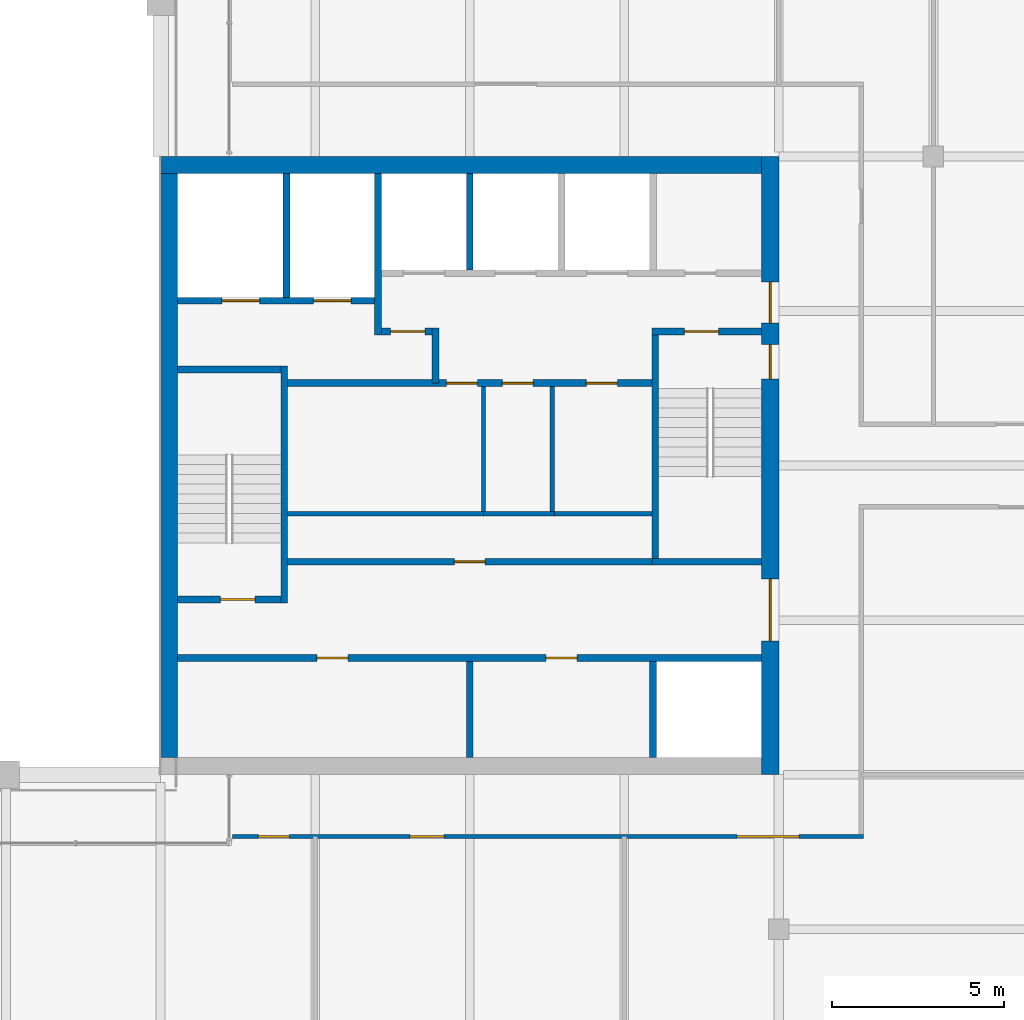
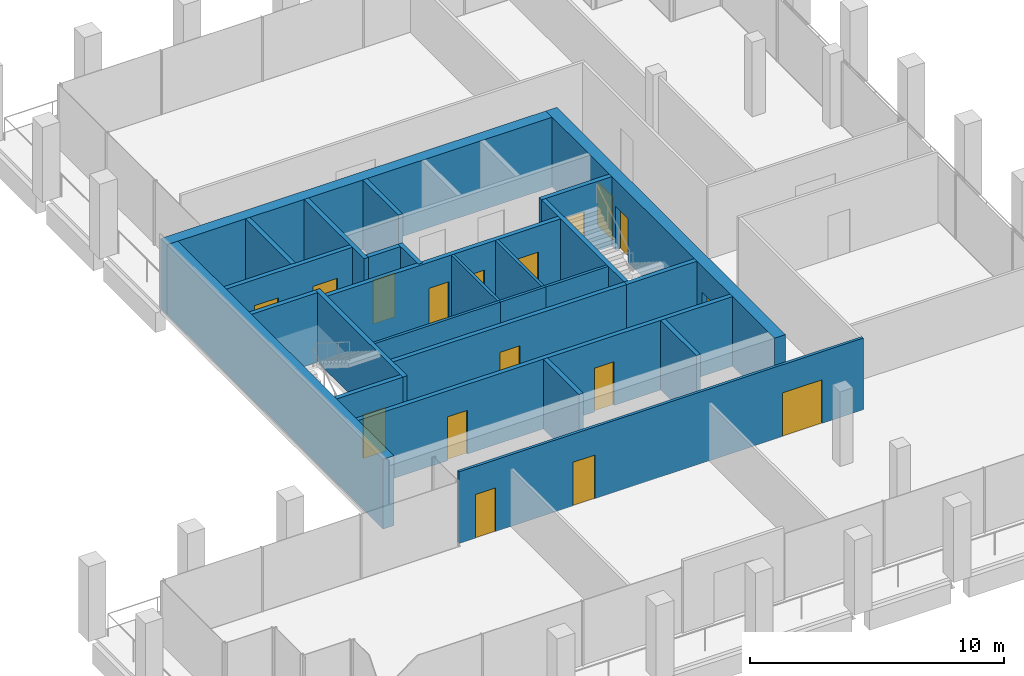
# One storey, part 28 of 30: 26 walls, 17 doors, 17 openings.
"""IFC4 building model written with IfcOpenShell, lengths in metres."""

from ifc_helpers import new_model, si_unit, direction, frame, frame_2d, origin, place, context, subcontext, project, spatial, rectangle, extrude, material, layer, layer_set, type_object, element, fill, save


model = new_model("IFC4")

# Units and contexts
model_context = context("Model", 3, precision=1e-05, world=origin(), true_north=direction((0.0, 1.0)))
body_context = subcontext(model_context, "Body", "Model", "MODEL_VIEW")
ifc_project = project(units=[si_unit("LENGTHUNIT", "METRE"), si_unit("AREAUNIT", "SQUARE_METRE"), si_unit("VOLUMEUNIT", "CUBIC_METRE"), si_unit("PLANEANGLEUNIT", "RADIAN"), si_unit("MASSUNIT", "GRAM", prefix="KILO")], contexts=[model_context])

# Site, building, storey
site_placement = place(None, origin())
site = spatial("IfcSite", under=ifc_project, at=site_placement, CompositionType="ELEMENT")
building_placement = place(site_placement, origin())
building = spatial("IfcBuilding", under=site, at=building_placement, Name="Altepetl Exchange Towers", CompositionType="ELEMENT")
storey_placement = place(building_placement, frame((0.0, 0.0, 238.800048828125)))
storey = spatial("IfcBuildingStorey", under=building, at=storey_placement, Name="L61", CompositionType="ELEMENT", Elevation=238.800048828125)

# Wall, openings, doors
ifc_material_1 = material(Name="Concrete C70/85", Category="concrete")
ifc_layer_1 = layer(ifc_material_1, 0.5)
ifc_layer_set_1 = layer_set([ifc_layer_1], Name="Concrete C70/85")
wall_type_1 = type_object("IfcWallType", Name="Core wall 500 reinforced concrete", PredefinedType="SHEAR", material=ifc_layer_set_1)
wall_1_placement = place(storey_placement, frame((58.25, 40.5, 0.0), z_axis=(0.0, 0.0, 1.0), x_axis=(0.0, 1.0, 0.0)))
wall_1 = element("IfcWall", 1, at=wall_1_placement, inside=storey, type_object=wall_type_1, Name="wall:A:L61:K-coreE", PredefinedType="SHEAR", context=body_context, shape_type="SweptSolid", body=[
    extrude(rectangle(XDim=18.0, YDim=0.5, at=frame_2d((9.0, 0.0))), origin(), (0.0, 0.0, 1.0), 3.349853515625),
])
opening_1_placement = place(wall_1_placement, frame((13.14990234375, 0.0, 0.0)))
opening_1 = element("IfcOpeningElement", 2, at=opening_1_placement, cuts=wall_1, Name="Opening L61.A60", PredefinedType="OPENING", context=body_context, shape_type="SweptSolid", body=[
    extrude(rectangle(XDim=1.199951171875, YDim=2.10009765625, at=frame_2d((0.60009765625, 1.050048828125))), frame((0.0, 0.260009765625, 0.0), z_axis=(0.0, -1.0, 0.0), x_axis=(1.0, 0.0, 0.0)), (0.0, 0.0, 1.0), 0.52001953125),
])
opening_2_placement = place(wall_1_placement, frame((3.89990234375, 0.0, 0.0)))
opening_2 = element("IfcOpeningElement", 3, at=opening_2_placement, cuts=wall_1, Name="Opening L61.A61", PredefinedType="OPENING", context=body_context, shape_type="SweptSolid", body=[
    extrude(rectangle(XDim=1.800048828125, YDim=2.10009765625, at=frame_2d((0.89990234375, 1.050048828125))), frame((0.0, 0.260009765625, 0.0), z_axis=(0.0, -1.0, 0.0), x_axis=(1.0, 0.0, 0.0)), (0.0, 0.0, 1.0), 0.52001953125),
])
opening_3_placement = place(wall_1_placement, frame((11.52490234375, 0.0, 0.0)))
opening_3 = element("IfcOpeningElement", 4, at=opening_3_placement, cuts=wall_1, Name="Opening L61.A64", PredefinedType="OPENING", context=body_context, shape_type="SweptSolid", body=[
    extrude(rectangle(XDim=1.0, YDim=2.10009765625, at=frame_2d((0.5, 1.050048828125))), frame((0.0, 0.260009765625, 0.0), z_axis=(0.0, -1.0, 0.0), x_axis=(1.0, 0.0, 0.0)), (0.0, 0.0, 1.0), 0.52001953125),
])
ifc_material_2 = material(Name="Steel and timber fire door", Category="steel")
door_type_1 = type_object("IfcDoorType", Name="Fire door 1000 x 2100 stair and lobby", OperationType="SINGLE_SWING_LEFT", PredefinedType="DOOR", material=ifc_material_2)
door_1_placement = place(opening_3_placement, origin())
door_1 = element("IfcDoor", 5, at=door_1_placement, inside=storey, type_object=door_type_1, Name="door:A:L61:K-dS2x", OperationType="SINGLE_SWING_RIGHT", OverallHeight=2.10009765625, OverallWidth=1.0, PredefinedType="DOOR", context=body_context, shape_type="SweptSolid", body=[
    extrude(rectangle(XDim=1.0, YDim=2.10009765625, at=frame_2d((0.5, 1.050048828125))), frame((0.0, 0.02490234375, 0.0), z_axis=(0.0, -1.0, 0.0), x_axis=(1.0, 0.0, 0.0)), (0.0, 0.0, 1.0), 0.050048828125),
])
fill(opening_3, door_1)
door_type_2 = type_object("IfcDoorType", Name="Fire door 1200 x 2100 lobby entry", OperationType="SINGLE_SWING_LEFT", PredefinedType="DOOR", material=ifc_material_2)
door_2_placement = place(opening_1_placement, origin())
door_2 = element("IfcDoor", 6, at=door_2_placement, inside=storey, type_object=door_type_2, Name="door:A:L61:K-dLNE", OperationType="SINGLE_SWING_RIGHT", OverallHeight=2.10009765625, OverallWidth=1.199951171875, PredefinedType="DOOR", context=body_context, shape_type="SweptSolid", body=[
    extrude(rectangle(XDim=1.199951171875, YDim=2.10009765625, at=frame_2d((0.60009765625, 1.050048828125))), frame((0.0, 0.02490234375, 0.0), z_axis=(0.0, -1.0, 0.0), x_axis=(1.0, 0.0, 0.0)), (0.0, 0.0, 1.0), 0.050048828125),
])
fill(opening_1, door_2)
door_type_3 = type_object("IfcDoorType", Name="Fire door 1800 x 2100 lobby entry", OperationType="DOUBLE_DOOR_SINGLE_SWING", PredefinedType="DOOR", material=ifc_material_2)
door_3_placement = place(opening_2_placement, origin())
door_3 = element("IfcDoor", 7, at=door_3_placement, inside=storey, type_object=door_type_3, Name="door:A:L61:K-dLSE", OperationType="DOUBLE_DOOR_SINGLE_SWING", OverallHeight=2.10009765625, OverallWidth=1.800048828125, PredefinedType="DOOR", context=body_context, shape_type="SweptSolid", body=[
    extrude(rectangle(XDim=1.800048828125, YDim=2.10009765625, at=frame_2d((0.89990234375, 1.050048828125))), frame((0.0, 0.02490234375, 0.0), z_axis=(0.0, -1.0, 0.0), x_axis=(1.0, 0.0, 0.0)), (0.0, 0.0, 1.0), 0.050048828125),
])
fill(opening_2, door_3)

# Walls
wall_2_placement = place(storey_placement, frame((40.5, 58.25, 0.0)))
element("IfcWall", 8, at=wall_2_placement, inside=storey, type_object=wall_type_1, Name="wall:A:L61:K-coreN", PredefinedType="SHEAR", context=body_context, shape_type="SweptSolid", body=[
    extrude(rectangle(XDim=17.5, YDim=0.5, at=frame_2d((8.75, 0.0))), origin(), (0.0, 0.0, 1.0), 3.349853515625),
])
ifc_layer_2 = layer(ifc_material_1, 0.5)
ifc_layer_set_2 = layer_set([ifc_layer_2], Name="Concrete C70/85")
wall_type_2 = type_object("IfcWallType", Name="Core wall 500 reinforced concrete external", PredefinedType="SHEAR", material=ifc_layer_set_2)
wall_3_placement = place(storey_placement, frame((40.75, 41.0, 0.0), z_axis=(0.0, 0.0, 1.0), x_axis=(0.0, 1.0, 0.0)))
element("IfcWall", 9, at=wall_3_placement, inside=storey, type_object=wall_type_2, Name="wall:A:L61:K-coreW", PredefinedType="SHEAR", context=body_context, shape_type="SweptSolid", body=[
    extrude(rectangle(XDim=17.0, YDim=0.5, at=frame_2d((8.5, 0.0))), origin(), (0.0, 0.0, 1.0), 3.349853515625),
])
ifc_material_3 = material(Name="Concrete blockwork", Category="masonry")
ifc_layer_3 = layer(ifc_material_3, 0.199951171875)
ifc_layer_set_3 = layer_set([ifc_layer_3], Name="Concrete blockwork")
wall_type_3 = type_object("IfcWallType", Name="Lobby wall 200 blockwork", PredefinedType="PARTITIONING", material=ifc_layer_set_3)
wall_4_placement = place(storey_placement, frame((48.5, 51.89990234375, 0.0), z_axis=(0.0, 0.0, 1.0), x_axis=(0.0, 1.0, 0.0)))
element("IfcWall", 10, at=wall_4_placement, inside=storey, type_object=wall_type_3, Name="wall:A:L61:K-ffE", PredefinedType="PARTITIONING", context=body_context, shape_type="SweptSolid", body=[
    extrude(rectangle(XDim=1.60009765625, YDim=0.199951171875, at=frame_2d((0.800048828125, 0.0))), origin(), (0.0, 0.0, 1.0), 3.349853515625),
])

# Wall, opening, door
wall_5_placement = place(storey_placement, frame((46.933349609375, 53.39990234375, 0.0)))
wall_5 = element("IfcWall", 11, at=wall_5_placement, inside=storey, type_object=wall_type_3, Name="wall:A:L61:K-ffN", PredefinedType="PARTITIONING", context=body_context, shape_type="SweptSolid", body=[
    extrude(rectangle(XDim=1.466552734375, YDim=0.199951171875, at=frame_2d((0.7333984375, 0.0))), origin(), (0.0, 0.0, 1.0), 3.349853515625),
])
opening_4_placement = place(wall_5_placement, frame((0.2666015625, 0.0, 0.0)))
opening_4 = element("IfcOpeningElement", 12, at=opening_4_placement, cuts=wall_5, Name="Opening L61.A65", PredefinedType="OPENING", context=body_context, shape_type="SweptSolid", body=[
    extrude(rectangle(XDim=1.0, YDim=2.10009765625, at=frame_2d((0.5, 1.050048828125))), frame((0.0, 0.10986328125, 0.0), z_axis=(0.0, -1.0, 0.0), x_axis=(1.0, 0.0, 0.0)), (0.0, 0.0, 1.0), 0.219970703125),
])
door_4_placement = place(opening_4_placement, frame((1.0, 0.0, 0.0), x_axis=(-1.0, 0.0, 0.0)))
door_4 = element("IfcDoor", 13, at=door_4_placement, inside=storey, type_object=door_type_1, Name="door:A:L61:K-dffN", OperationType="SINGLE_SWING_RIGHT", OverallHeight=2.10009765625, OverallWidth=1.0, PredefinedType="DOOR", context=body_context, shape_type="SweptSolid", body=[
    extrude(rectangle(XDim=1.0, YDim=2.10009765625, at=frame_2d((0.5, 1.050048828125))), frame((0.0, 0.02490234375, 0.0), z_axis=(0.0, -1.0, 0.0), x_axis=(1.0, 0.0, 0.0)), (0.0, 0.0, 1.0), 0.050048828125),
])
fill(opening_4, door_4)

# Wall, openings, doors
wall_6_placement = place(storey_placement, frame((44.199951171875, 51.89990234375, 0.0)))
wall_6 = element("IfcWall", 14, at=wall_6_placement, inside=storey, type_object=wall_type_3, Name="wall:A:L61:K-zoneN", PredefinedType="PARTITIONING", context=body_context, shape_type="SweptSolid", body=[
    extrude(rectangle(XDim=10.60009765625, YDim=0.199951171875, at=frame_2d((5.300048828125, 0.0))), origin(), (0.0, 0.0, 1.0), 3.349853515625),
])
opening_5_placement = place(wall_6_placement, frame((4.625, 0.0, 0.0)))
opening_5 = element("IfcOpeningElement", 15, at=opening_5_placement, cuts=wall_6, Name="Opening L61.A70", PredefinedType="OPENING", context=body_context, shape_type="SweptSolid", body=[
    extrude(rectangle(XDim=0.89990234375, YDim=2.10009765625, at=frame_2d((0.449951171875, 1.050048828125))), frame((0.0, 0.10986328125, 0.0), z_axis=(0.0, -1.0, 0.0), x_axis=(1.0, 0.0, 0.0)), (0.0, 0.0, 1.0), 0.219970703125),
])
opening_6_placement = place(wall_6_placement, frame((6.25, 0.0, 0.0)))
opening_6 = element("IfcOpeningElement", 16, at=opening_6_placement, cuts=wall_6, Name="Opening L61.A71", PredefinedType="OPENING", context=body_context, shape_type="SweptSolid", body=[
    extrude(rectangle(XDim=0.89990234375, YDim=2.10009765625, at=frame_2d((0.449951171875, 1.050048828125))), frame((0.0, 0.10986328125, 0.0), z_axis=(0.0, -1.0, 0.0), x_axis=(1.0, 0.0, 0.0)), (0.0, 0.0, 1.0), 0.219970703125),
])
opening_7_placement = place(wall_6_placement, frame((8.699951171875, 0.0, 0.0)))
opening_7 = element("IfcOpeningElement", 17, at=opening_7_placement, cuts=wall_6, Name="Opening L61.A72", PredefinedType="OPENING", context=body_context, shape_type="SweptSolid", body=[
    extrude(rectangle(XDim=0.89990234375, YDim=2.10009765625, at=frame_2d((0.449951171875, 1.050048828125))), frame((0.0, 0.10986328125, 0.0), z_axis=(0.0, -1.0, 0.0), x_axis=(1.0, 0.0, 0.0)), (0.0, 0.0, 1.0), 0.219970703125),
])
door_type_4 = type_object("IfcDoorType", Name="Fire door 900 x 2100 service room", OperationType="SINGLE_SWING_LEFT", PredefinedType="DOOR", material=ifc_material_2)
door_5_placement = place(opening_5_placement, frame((0.89990234375, 0.0, 0.0), x_axis=(-1.0, 0.0, 0.0)))
door_5 = element("IfcDoor", 18, at=door_5_placement, inside=storey, type_object=door_type_4, Name="door:A:L61:K-dz2", OperationType="SINGLE_SWING_RIGHT", OverallHeight=2.10009765625, OverallWidth=0.89990234375, PredefinedType="DOOR", context=body_context, shape_type="SweptSolid", body=[
    extrude(rectangle(XDim=0.89990234375, YDim=2.10009765625, at=frame_2d((0.449951171875, 1.050048828125))), frame((0.0, 0.02490234375, 0.0), z_axis=(0.0, -1.0, 0.0), x_axis=(1.0, 0.0, 0.0)), (0.0, 0.0, 1.0), 0.050048828125),
])
fill(opening_5, door_5)
door_6_placement = place(opening_6_placement, frame((0.89990234375, 0.0, 0.0), x_axis=(-1.0, 0.0, 0.0)))
door_6 = element("IfcDoor", 19, at=door_6_placement, inside=storey, type_object=door_type_4, Name="door:A:L61:K-dz3", OperationType="SINGLE_SWING_LEFT", OverallHeight=2.10009765625, OverallWidth=0.89990234375, PredefinedType="DOOR", context=body_context, shape_type="SweptSolid", body=[
    extrude(rectangle(XDim=0.89990234375, YDim=2.10009765625, at=frame_2d((0.449951171875, 1.050048828125))), frame((0.0, 0.02490234375, 0.0), z_axis=(0.0, -1.0, 0.0), x_axis=(1.0, 0.0, 0.0)), (0.0, 0.0, 1.0), 0.050048828125),
])
fill(opening_6, door_6)
door_7_placement = place(opening_7_placement, frame((0.89990234375, 0.0, 0.0), x_axis=(-1.0, 0.0, 0.0)))
door_7 = element("IfcDoor", 20, at=door_7_placement, inside=storey, type_object=door_type_4, Name="door:A:L61:K-dz4", OperationType="SINGLE_SWING_LEFT", OverallHeight=2.10009765625, OverallWidth=0.89990234375, PredefinedType="DOOR", context=body_context, shape_type="SweptSolid", body=[
    extrude(rectangle(XDim=0.89990234375, YDim=2.10009765625, at=frame_2d((0.449951171875, 1.050048828125))), frame((0.0, 0.02490234375, 0.0), z_axis=(0.0, -1.0, 0.0), x_axis=(1.0, 0.0, 0.0)), (0.0, 0.0, 1.0), 0.050048828125),
])
fill(opening_7, door_7)

# Wall, opening, door
wall_7_placement = place(storey_placement, frame((44.199951171875, 46.699951171875, 0.0)))
wall_7 = element("IfcWall", 21, at=wall_7_placement, inside=storey, type_object=wall_type_3, Name="wall:A:L61:K-zoneS", PredefinedType="PARTITIONING", context=body_context, shape_type="SweptSolid", body=[
    extrude(rectangle(XDim=10.60009765625, YDim=0.199951171875, at=frame_2d((5.300048828125, 0.0))), origin(), (0.0, 0.0, 1.0), 3.349853515625),
])
opening_8_placement = place(wall_7_placement, frame((4.85009765625, 0.0, 0.0)))
opening_8 = element("IfcOpeningElement", 22, at=opening_8_placement, cuts=wall_7, Name="Opening L61.A69", PredefinedType="OPENING", context=body_context, shape_type="SweptSolid", body=[
    extrude(rectangle(XDim=0.89990234375, YDim=2.10009765625, at=frame_2d((0.449951171875, 1.050048828125))), frame((0.0, 0.10986328125, 0.0), z_axis=(0.0, -1.0, 0.0), x_axis=(1.0, 0.0, 0.0)), (0.0, 0.0, 1.0), 0.219970703125),
])
door_8_placement = place(opening_8_placement, origin())
door_8 = element("IfcDoor", 23, at=door_8_placement, inside=storey, type_object=door_type_4, Name="door:A:L61:K-dz1", OperationType="SINGLE_SWING_LEFT", OverallHeight=2.10009765625, OverallWidth=0.89990234375, PredefinedType="DOOR", context=body_context, shape_type="SweptSolid", body=[
    extrude(rectangle(XDim=0.89990234375, YDim=2.10009765625, at=frame_2d((0.449951171875, 1.050048828125))), frame((0.0, 0.02490234375, 0.0), z_axis=(0.0, -1.0, 0.0), x_axis=(1.0, 0.0, 0.0)), (0.0, 0.0, 1.0), 0.050048828125),
])
fill(opening_8, door_8)

# Walls
ifc_material_4 = material(Name="Gypsum board on steel studs", Category="steel")
ifc_layer_4 = layer(ifc_material_4, 0.125)
ifc_layer_set_4 = layer_set([ifc_layer_4], Name="Gypsum board on steel studs")
wall_type_4 = type_object("IfcWallType", Name="Partition 125 gypsum board on steel studs", PredefinedType="PARTITIONING", material=ifc_layer_set_4)
wall_8_placement = place(storey_placement, frame((49.96240234375, 48.10009765625, 0.0), z_axis=(0.0, 0.0, 1.0), x_axis=(-1.0, 0.0, 0.0)))
element("IfcWall", 24, at=wall_8_placement, inside=storey, type_object=wall_type_4, Name="wall:A:L61:K-zp1", PredefinedType="PARTITIONING", context=body_context, shape_type="SweptSolid", body=[
    extrude(rectangle(XDim=5.762451171875, YDim=0.125, at=frame_2d((2.88134765625, 0.0))), origin(), (0.0, 0.0, 1.0), 3.349853515625),
])
wall_9_placement = place(storey_placement, frame((51.96240234375, 48.10009765625, 0.0), z_axis=(0.0, 0.0, 1.0), x_axis=(-1.0, 0.0, 0.0)))
element("IfcWall", 25, at=wall_9_placement, inside=storey, type_object=wall_type_4, Name="wall:A:L61:K-zp2", PredefinedType="PARTITIONING", context=body_context, shape_type="SweptSolid", body=[
    extrude(rectangle(XDim=2.0625, YDim=0.125, at=frame_2d((1.03125, 0.0))), origin(), (0.0, 0.0, 1.0), 3.349853515625),
])
wall_10_placement = place(storey_placement, frame((49.89990234375, 48.16259765625, 0.0), z_axis=(0.0, 0.0, 1.0), x_axis=(0.0, 1.0, 0.0)))
element("IfcWall", 26, at=wall_10_placement, inside=storey, type_object=wall_type_4, Name="wall:A:L61:K-zp3", PredefinedType="PARTITIONING", context=body_context, shape_type="SweptSolid", body=[
    extrude(rectangle(XDim=3.637451171875, YDim=0.125, at=frame_2d((1.81884765625, 0.0))), origin(), (0.0, 0.0, 1.0), 3.349853515625),
])
wall_11_placement = place(storey_placement, frame((54.800048828125, 48.10009765625, 0.0), z_axis=(0.0, 0.0, 1.0), x_axis=(-1.0, 0.0, 0.0)))
element("IfcWall", 27, at=wall_11_placement, inside=storey, type_object=wall_type_4, Name="wall:A:L61:K-zp4", PredefinedType="PARTITIONING", context=body_context, shape_type="SweptSolid", body=[
    extrude(rectangle(XDim=2.900146484375, YDim=0.125, at=frame_2d((1.4501953125, 0.0))), origin(), (0.0, 0.0, 1.0), 3.349853515625),
])
wall_12_placement = place(storey_placement, frame((51.89990234375, 48.16259765625, 0.0), z_axis=(0.0, 0.0, 1.0), x_axis=(0.0, 1.0, 0.0)))
element("IfcWall", 28, at=wall_12_placement, inside=storey, type_object=wall_type_4, Name="wall:A:L61:K-zp5", PredefinedType="PARTITIONING", context=body_context, shape_type="SweptSolid", body=[
    extrude(rectangle(XDim=3.637451171875, YDim=0.125, at=frame_2d((1.81884765625, 0.0))), origin(), (0.0, 0.0, 1.0), 3.349853515625),
])

# Wall, openings, doors
wall_13_placement = place(storey_placement, frame((42.60009765625, 38.699951171875, 0.0)))
wall_13 = element("IfcWall", 29, at=wall_13_placement, inside=storey, type_object=wall_type_4, Name="wall:A:L61:P01", PredefinedType="PARTITIONING", context=body_context, shape_type="SweptSolid", body=[
    extrude(rectangle(XDim=18.3623046875, YDim=0.125, at=frame_2d((9.18115234375, 0.0))), origin(), (0.0, 0.0, 1.0), 3.449951171875),
])
opening_9_placement = place(wall_13_placement, frame((0.75, 0.0, 0.0)))
opening_9 = element("IfcOpeningElement", 30, at=opening_9_placement, cuts=wall_13, Name="Opening L61.A01", PredefinedType="OPENING", context=body_context, shape_type="SweptSolid", body=[
    extrude(rectangle(XDim=0.89990234375, YDim=2.10009765625, at=frame_2d((0.449951171875, 1.050048828125))), frame((0.0, 0.072509765625, 0.0), z_axis=(0.0, -1.0, 0.0), x_axis=(1.0, 0.0, 0.0)), (0.0, 0.0, 1.0), 0.14501953125),
])
opening_10_placement = place(wall_13_placement, frame((5.157958984375, 0.0, 0.0)))
opening_10 = element("IfcOpeningElement", 31, at=opening_10_placement, cuts=wall_13, Name="Opening L61.A02", PredefinedType="OPENING", context=body_context, shape_type="SweptSolid", body=[
    extrude(rectangle(XDim=1.0, YDim=2.10009765625, at=frame_2d((0.5, 1.050048828125))), frame((0.0, 0.072509765625, 0.0), z_axis=(0.0, -1.0, 0.0), x_axis=(1.0, 0.0, 0.0)), (0.0, 0.0, 1.0), 0.14501953125),
])
opening_11_placement = place(wall_13_placement, frame((14.68505859375, 0.0, 0.0)))
opening_11 = element("IfcOpeningElement", 32, at=opening_11_placement, cuts=wall_13, Name="Opening L61.A03", PredefinedType="OPENING", context=body_context, shape_type="SweptSolid", body=[
    extrude(rectangle(XDim=1.800048828125, YDim=2.10009765625, at=frame_2d((0.89990234375, 1.050048828125))), frame((0.0, 0.072509765625, 0.0), z_axis=(0.0, -1.0, 0.0), x_axis=(1.0, 0.0, 0.0)), (0.0, 0.0, 1.0), 0.14501953125),
])
door_type_5 = type_object("IfcDoorType", Name="Fire door 1000 x 2100 single leaf", OperationType="SINGLE_SWING_LEFT", PredefinedType="DOOR", material=ifc_material_2)
door_9_placement = place(opening_10_placement, frame((1.0, 0.0, 0.0), x_axis=(-1.0, 0.0, 0.0)))
door_9 = element("IfcDoor", 33, at=door_9_placement, inside=storey, type_object=door_type_5, Name="door:A:L61:02", OperationType="SINGLE_SWING_RIGHT", OverallHeight=2.10009765625, OverallWidth=1.0, PredefinedType="DOOR", context=body_context, shape_type="SweptSolid", body=[
    extrude(rectangle(XDim=1.0, YDim=2.10009765625, at=frame_2d((0.5, 1.050048828125))), frame((0.0, 0.02490234375, 0.0), z_axis=(0.0, -1.0, 0.0), x_axis=(1.0, 0.0, 0.0)), (0.0, 0.0, 1.0), 0.050048828125),
])
fill(opening_10, door_9)
door_type_6 = type_object("IfcDoorType", Name="Fire door 1800 x 2100 double leaf", OperationType="DOUBLE_DOOR_SINGLE_SWING", PredefinedType="DOOR", material=ifc_material_2)
door_10_placement = place(opening_11_placement, frame((1.800048828125, 0.0, 0.0), x_axis=(-1.0, 0.0, 0.0)))
door_10 = element("IfcDoor", 34, at=door_10_placement, inside=storey, type_object=door_type_6, Name="door:A:L61:03", OperationType="DOUBLE_DOOR_SINGLE_SWING", OverallHeight=2.10009765625, OverallWidth=1.800048828125, PredefinedType="DOOR", context=body_context, shape_type="SweptSolid", body=[
    extrude(rectangle(XDim=1.800048828125, YDim=2.10009765625, at=frame_2d((0.89990234375, 1.050048828125))), frame((0.0, 0.02490234375, 0.0), z_axis=(0.0, -1.0, 0.0), x_axis=(1.0, 0.0, 0.0)), (0.0, 0.0, 1.0), 0.050048828125),
])
fill(opening_11, door_10)
door_type_7 = type_object("IfcDoorType", Name="Fire door 900 x 2100 single leaf", OperationType="SINGLE_SWING_LEFT", PredefinedType="DOOR", material=ifc_material_2)
door_11_placement = place(opening_9_placement, frame((0.89990234375, 0.0, 0.0), x_axis=(-1.0, 0.0, 0.0)))
door_11 = element("IfcDoor", 35, at=door_11_placement, inside=storey, type_object=door_type_7, Name="door:A:L61:01", OperationType="SINGLE_SWING_RIGHT", OverallHeight=2.10009765625, OverallWidth=0.89990234375, PredefinedType="DOOR", context=body_context, shape_type="SweptSolid", body=[
    extrude(rectangle(XDim=0.89990234375, YDim=2.10009765625, at=frame_2d((0.449951171875, 1.050048828125))), frame((0.0, 0.02490234375, 0.0), z_axis=(0.0, -1.0, 0.0), x_axis=(1.0, 0.0, 0.0)), (0.0, 0.0, 1.0), 0.050048828125),
])
fill(opening_9, door_11)

# Walls
ifc_material_5 = material(Name="Concrete C40/50", Category="concrete")
ifc_layer_5 = layer(ifc_material_5, 0.199951171875)
ifc_layer_set_5 = layer_set([ifc_layer_5], Name="Concrete C40/50")
wall_type_5 = type_object("IfcWallType", Name="Shaft wall 200 reinforced concrete", PredefinedType="SHEAR", material=ifc_layer_set_5)
wall_14_placement = place(storey_placement, frame((44.166748046875, 58.0, 0.0), z_axis=(0.0, 0.0, 1.0), x_axis=(0.0, -1.0, 0.0)))
element("IfcWall", 36, at=wall_14_placement, inside=storey, type_object=wall_type_5, Name="wall:A:L61:K-divN1", PredefinedType="SHEAR", context=body_context, shape_type="SweptSolid", body=[
    extrude(rectangle(XDim=3.60009765625, YDim=0.199951171875, at=frame_2d((1.800048828125, 0.0))), origin(), (0.0, 0.0, 1.0), 3.349853515625),
])
wall_15_placement = place(storey_placement, frame((46.833251953125, 58.0, 0.0), z_axis=(0.0, 0.0, 1.0), x_axis=(0.0, -1.0, 0.0)))
element("IfcWall", 37, at=wall_15_placement, inside=storey, type_object=wall_type_5, Name="wall:A:L61:K-divN2", PredefinedType="SHEAR", context=body_context, shape_type="SweptSolid", body=[
    extrude(rectangle(XDim=4.699951171875, YDim=0.199951171875, at=frame_2d((2.35009765625, 0.0))), origin(), (0.0, 0.0, 1.0), 3.349853515625),
])
for number, where, z_axis, x_axis, name in (
    (38, (49.5, 58.0, 0.0), (0.0, 0.0, 1.0), (0.0, -1.0, 0.0), "wall:A:L61:K-divN3"),
    (39, (54.833251953125, 41.0, 0.0), (0.0, 0.0, 1.0), (0.0, 1.0, 0.0), "wall:A:L61:K-divS5"),
):
    element("IfcWall", number, at=place(storey_placement, frame(where, z_axis=z_axis, x_axis=x_axis)), inside=storey, type_object=wall_type_5, Name=name, PredefinedType="SHEAR", context=body_context, shape_type="SweptSolid", body=[
        extrude(rectangle(XDim=2.800048828125, YDim=0.199951171875, at=frame_2d((1.39990234375, 0.0))), origin(), (0.0, 0.0, 1.0), 3.349853515625),
    ])

# Wall, openings, doors
wall_16_placement = place(storey_placement, frame((41.0, 54.300048828125, 0.0)))
wall_16 = element("IfcWall", 40, at=wall_16_placement, inside=storey, type_object=wall_type_5, Name="wall:A:L61:K-frontNd", PredefinedType="SHEAR", context=body_context, shape_type="SweptSolid", body=[
    extrude(rectangle(XDim=5.7333984375, YDim=0.199951171875, at=frame_2d((2.86669921875, 0.0))), origin(), (0.0, 0.0, 1.0), 3.349853515625),
])
opening_12_placement = place(wall_16_placement, frame((1.283203125, 0.0, 0.0)))
opening_12 = element("IfcOpeningElement", 41, at=opening_12_placement, cuts=wall_16, Name="Opening L61.A73", PredefinedType="OPENING", context=body_context, shape_type="SweptSolid", body=[
    extrude(rectangle(XDim=1.10009765625, YDim=2.10009765625, at=frame_2d((0.550048828125, 1.050048828125))), frame((0.0, 0.10986328125, 0.0), z_axis=(0.0, -1.0, 0.0), x_axis=(1.0, 0.0, 0.0)), (0.0, 0.0, 1.0), 0.219970703125),
])
opening_13_placement = place(wall_16_placement, frame((3.949951171875, 0.0, 0.0)))
opening_13 = element("IfcOpeningElement", 42, at=opening_13_placement, cuts=wall_16, Name="Opening L61.A74", PredefinedType="OPENING", context=body_context, shape_type="SweptSolid", body=[
    extrude(rectangle(XDim=1.10009765625, YDim=2.10009765625, at=frame_2d((0.550048828125, 1.050048828125))), frame((0.0, 0.10986328125, 0.0), z_axis=(0.0, -1.0, 0.0), x_axis=(1.0, 0.0, 0.0)), (0.0, 0.0, 1.0), 0.219970703125),
])
ifc_material_6 = material(Name="Stainless steel", Category="steel")
door_type_8 = type_object("IfcDoorType", Name="Lift landing door 1100 x 2100", OperationType="SLIDING_TO_LEFT", PredefinedType="DOOR", material=ifc_material_6)
door_12_placement = place(opening_12_placement, origin())
door_12 = element("IfcDoor", 43, at=door_12_placement, inside=storey, type_object=door_type_8, Name="Landing door FFL1", OperationType="SLIDING_TO_LEFT", OverallHeight=2.10009765625, OverallWidth=1.10009765625, PredefinedType="DOOR", context=body_context, shape_type="SweptSolid", body=[
    extrude(rectangle(XDim=1.10009765625, YDim=2.10009765625, at=frame_2d((0.550048828125, 1.050048828125))), frame((0.0, 0.02490234375, 0.0), z_axis=(0.0, -1.0, 0.0), x_axis=(1.0, 0.0, 0.0)), (0.0, 0.0, 1.0), 0.050048828125),
])
fill(opening_12, door_12)
door_13_placement = place(opening_13_placement, origin())
door_13 = element("IfcDoor", 44, at=door_13_placement, inside=storey, type_object=door_type_8, Name="Landing door FFL2", OperationType="SLIDING_TO_LEFT", OverallHeight=2.10009765625, OverallWidth=1.10009765625, PredefinedType="DOOR", context=body_context, shape_type="SweptSolid", body=[
    extrude(rectangle(XDim=1.10009765625, YDim=2.10009765625, at=frame_2d((0.550048828125, 1.050048828125))), frame((0.0, 0.02490234375, 0.0), z_axis=(0.0, -1.0, 0.0), x_axis=(1.0, 0.0, 0.0)), (0.0, 0.0, 1.0), 0.050048828125),
])
fill(opening_13, door_13)

wall_17_placement = place(storey_placement, frame((41.0, 43.89990234375, 0.0)))
wall_17 = element("IfcWall", 45, at=wall_17_placement, inside=storey, type_object=wall_type_5, Name="wall:A:L61:K-frontS", PredefinedType="SHEAR", context=body_context, shape_type="SweptSolid", body=[
    extrude(rectangle(XDim=17.0, YDim=0.199951171875, at=frame_2d((8.5, 0.0))), origin(), (0.0, 0.0, 1.0), 3.349853515625),
])
opening_14_placement = place(wall_17_placement, frame((4.050048828125, 0.0, 0.0)))
opening_14 = element("IfcOpeningElement", 46, at=opening_14_placement, cuts=wall_17, Name="Opening L61.A67", PredefinedType="OPENING", context=body_context, shape_type="SweptSolid", body=[
    extrude(rectangle(XDim=0.89990234375, YDim=2.10009765625, at=frame_2d((0.449951171875, 1.050048828125))), frame((0.0, 0.10986328125, 0.0), z_axis=(0.0, -1.0, 0.0), x_axis=(1.0, 0.0, 0.0)), (0.0, 0.0, 1.0), 0.219970703125),
])
opening_15_placement = place(wall_17_placement, frame((10.716796875, 0.0, 0.0)))
opening_15 = element("IfcOpeningElement", 47, at=opening_15_placement, cuts=wall_17, Name="Opening L61.A68", PredefinedType="OPENING", context=body_context, shape_type="SweptSolid", body=[
    extrude(rectangle(XDim=0.89990234375, YDim=2.10009765625, at=frame_2d((0.449951171875, 1.050048828125))), frame((0.0, 0.10986328125, 0.0), z_axis=(0.0, -1.0, 0.0), x_axis=(1.0, 0.0, 0.0)), (0.0, 0.0, 1.0), 0.219970703125),
])
door_14_placement = place(opening_14_placement, frame((0.89990234375, 0.0, 0.0), x_axis=(-1.0, 0.0, 0.0)))
door_14 = element("IfcDoor", 48, at=door_14_placement, inside=storey, type_object=door_type_4, Name="door:A:L61:K-dslotS0", OperationType="SINGLE_SWING_LEFT", OverallHeight=2.10009765625, OverallWidth=0.89990234375, PredefinedType="DOOR", context=body_context, shape_type="SweptSolid", body=[
    extrude(rectangle(XDim=0.89990234375, YDim=2.10009765625, at=frame_2d((0.449951171875, 1.050048828125))), frame((0.0, 0.02490234375, 0.0), z_axis=(0.0, -1.0, 0.0), x_axis=(1.0, 0.0, 0.0)), (0.0, 0.0, 1.0), 0.050048828125),
])
fill(opening_14, door_14)
door_15_placement = place(opening_15_placement, frame((0.89990234375, 0.0, 0.0), x_axis=(-1.0, 0.0, 0.0)))
door_15 = element("IfcDoor", 49, at=door_15_placement, inside=storey, type_object=door_type_4, Name="door:A:L61:K-dslotS3", OperationType="SINGLE_SWING_LEFT", OverallHeight=2.10009765625, OverallWidth=0.89990234375, PredefinedType="DOOR", context=body_context, shape_type="SweptSolid", body=[
    extrude(rectangle(XDim=0.89990234375, YDim=2.10009765625, at=frame_2d((0.449951171875, 1.050048828125))), frame((0.0, 0.02490234375, 0.0), z_axis=(0.0, -1.0, 0.0), x_axis=(1.0, 0.0, 0.0)), (0.0, 0.0, 1.0), 0.050048828125),
])
fill(opening_15, door_15)

# Walls
ifc_layer_6 = layer(ifc_material_1, 0.199951171875)
ifc_layer_set_6 = layer_set([ifc_layer_6], Name="Concrete C70/85")
wall_type_6 = type_object("IfcWallType", Name="Shear wall 200 reinforced concrete", PredefinedType="SHEAR", material=ifc_layer_set_6)
wall_18_placement = place(storey_placement, frame((49.5, 41.0, 0.0), z_axis=(0.0, 0.0, 1.0), x_axis=(0.0, 1.0, 0.0)))
element("IfcWall", 50, at=wall_18_placement, inside=storey, type_object=wall_type_6, Name="wall:A:L61:K-divS3", PredefinedType="SHEAR", context=body_context, shape_type="SweptSolid", body=[
    extrude(rectangle(XDim=2.800048828125, YDim=0.199951171875, at=frame_2d((1.39990234375, 0.0))), origin(), (0.0, 0.0, 1.0), 3.349853515625),
])
ifc_layer_7 = layer(ifc_material_5, 0.199951171875)
ifc_layer_set_7 = layer_set([ifc_layer_7], Name="Concrete C40/50")
wall_type_7 = type_object("IfcWallType", Name="Stair wall 200 reinforced concrete", PredefinedType="SHEAR", material=ifc_layer_set_7)
wall_19_placement = place(storey_placement, frame((44.10009765625, 45.5, 0.0), z_axis=(0.0, 0.0, 1.0), x_axis=(0.0, 1.0, 0.0)))
element("IfcWall", 51, at=wall_19_placement, inside=storey, type_object=wall_type_7, Name="wall:A:L61:K-stS1E", PredefinedType="SHEAR", context=body_context, shape_type="SweptSolid", body=[
    extrude(rectangle(XDim=6.89990234375, YDim=0.199951171875, at=frame_2d((3.449951171875, 0.0))), origin(), (0.0, 0.0, 1.0), 3.349853515625),
])
wall_20_placement = place(storey_placement, frame((41.0, 52.300048828125, 0.0)))
element("IfcWall", 52, at=wall_20_placement, inside=storey, type_object=wall_type_7, Name="wall:A:L61:K-stS1N", PredefinedType="SHEAR", context=body_context, shape_type="SweptSolid", body=[
    extrude(rectangle(XDim=3.0, YDim=0.199951171875, at=frame_2d((1.5, 0.0))), origin(), (0.0, 0.0, 1.0), 3.349853515625),
])

# Wall, opening, door
wall_21_placement = place(storey_placement, frame((41.0, 45.60009765625, 0.0)))
wall_21 = element("IfcWall", 53, at=wall_21_placement, inside=storey, type_object=wall_type_7, Name="wall:A:L61:K-stS1S", PredefinedType="SHEAR", context=body_context, shape_type="SweptSolid", body=[
    extrude(rectangle(XDim=3.0, YDim=0.199951171875, at=frame_2d((1.5, 0.0))), origin(), (0.0, 0.0, 1.0), 3.349853515625),
])
opening_16_placement = place(wall_21_placement, frame((1.25, 0.0, 0.0)))
opening_16 = element("IfcOpeningElement", 54, at=opening_16_placement, cuts=wall_21, Name="Opening L61.A62", PredefinedType="OPENING", context=body_context, shape_type="SweptSolid", body=[
    extrude(rectangle(XDim=1.0, YDim=2.10009765625, at=frame_2d((0.5, 1.050048828125))), frame((0.0, 0.10986328125, 0.0), z_axis=(0.0, -1.0, 0.0), x_axis=(1.0, 0.0, 0.0)), (0.0, 0.0, 1.0), 0.219970703125),
])
door_16_placement = place(opening_16_placement, origin())
door_16 = element("IfcDoor", 55, at=door_16_placement, inside=storey, type_object=door_type_1, Name="door:A:L61:K-dS1in", OperationType="SINGLE_SWING_RIGHT", OverallHeight=2.10009765625, OverallWidth=1.0, PredefinedType="DOOR", context=body_context, shape_type="SweptSolid", body=[
    extrude(rectangle(XDim=1.0, YDim=2.10009765625, at=frame_2d((0.5, 1.050048828125))), frame((0.0, 0.02490234375, 0.0), z_axis=(0.0, -1.0, 0.0), x_axis=(1.0, 0.0, 0.0)), (0.0, 0.0, 1.0), 0.050048828125),
])
fill(opening_16, door_16)

wall_22_placement = place(storey_placement, frame((54.800048828125, 53.39990234375, 0.0)))
wall_22 = element("IfcWall", 56, at=wall_22_placement, inside=storey, type_object=wall_type_7, Name="wall:A:L61:K-stS2N", PredefinedType="SHEAR", context=body_context, shape_type="SweptSolid", body=[
    extrude(rectangle(XDim=3.199951171875, YDim=0.199951171875, at=frame_2d((1.60009765625, 0.0))), origin(), (0.0, 0.0, 1.0), 3.349853515625),
])
opening_17_placement = place(wall_22_placement, frame((0.949951171875, 0.0, 0.0)))
opening_17 = element("IfcOpeningElement", 57, at=opening_17_placement, cuts=wall_22, Name="Opening L61.A63", PredefinedType="OPENING", context=body_context, shape_type="SweptSolid", body=[
    extrude(rectangle(XDim=1.0, YDim=2.10009765625, at=frame_2d((0.5, 1.050048828125))), frame((0.0, 0.10986328125, 0.0), z_axis=(0.0, -1.0, 0.0), x_axis=(1.0, 0.0, 0.0)), (0.0, 0.0, 1.0), 0.219970703125),
])
door_17_placement = place(opening_17_placement, frame((1.0, 0.0, 0.0), x_axis=(-1.0, 0.0, 0.0)))
door_17 = element("IfcDoor", 58, at=door_17_placement, inside=storey, type_object=door_type_1, Name="door:A:L61:K-dS2in", OperationType="SINGLE_SWING_LEFT", OverallHeight=2.10009765625, OverallWidth=1.0, PredefinedType="DOOR", context=body_context, shape_type="SweptSolid", body=[
    extrude(rectangle(XDim=1.0, YDim=2.10009765625, at=frame_2d((0.5, 1.050048828125))), frame((0.0, 0.02490234375, 0.0), z_axis=(0.0, -1.0, 0.0), x_axis=(1.0, 0.0, 0.0)), (0.0, 0.0, 1.0), 0.050048828125),
])
fill(opening_17, door_17)

# Walls
wall_23_placement = place(storey_placement, frame((54.800048828125, 46.699951171875, 0.0)))
element("IfcWall", 59, at=wall_23_placement, inside=storey, type_object=wall_type_7, Name="wall:A:L61:K-stS2S", PredefinedType="SHEAR", context=body_context, shape_type="SweptSolid", body=[
    extrude(rectangle(XDim=3.199951171875, YDim=0.199951171875, at=frame_2d((1.60009765625, 0.0))), origin(), (0.0, 0.0, 1.0), 3.349853515625),
])
wall_24_placement = place(storey_placement, frame((54.89990234375, 46.800048828125, 0.0), z_axis=(0.0, 0.0, 1.0), x_axis=(0.0, 1.0, 0.0)))
element("IfcWall", 60, at=wall_24_placement, inside=storey, type_object=wall_type_7, Name="wall:A:L61:K-stS2W", PredefinedType="SHEAR", context=body_context, shape_type="SweptSolid", body=[
    extrude(rectangle(XDim=6.5, YDim=0.199951171875, at=frame_2d((3.25, 0.0))), origin(), (0.0, 0.0, 1.0), 3.349853515625),
])

save(model, "model.ifc")
